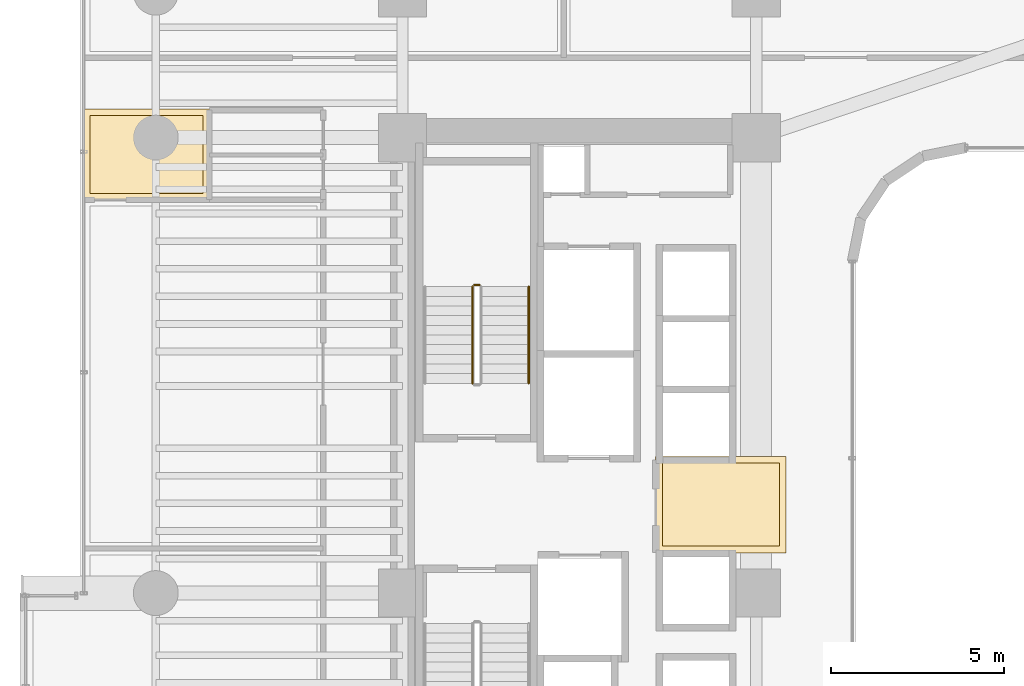
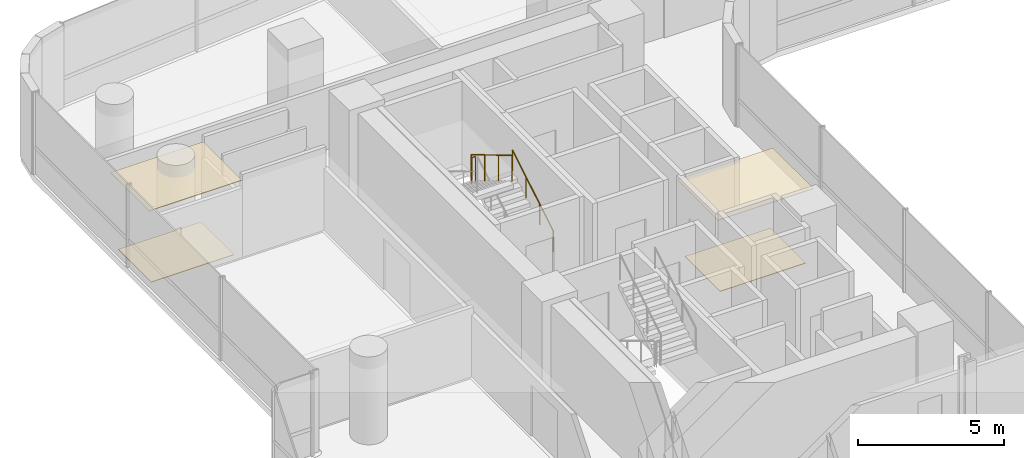
# One storey, part 37 of 40: 4 coverings, 3 railings.
"""IFC4 building model written with IfcOpenShell, lengths in metres."""

from ifc_helpers import new_model, si_unit, direction, frame, origin, origin_2d, place, context, subcontext, project, spatial, polyline, circle, outline, extrude, material, layer, layer_set, type_object, element, save


model = new_model("IFC4")

# Units and contexts
model_context = context("Model", 3, precision=1e-05, world=origin(), true_north=direction((0.0, 1.0)))
body_context = subcontext(model_context, "Body", "Model", "MODEL_VIEW")
ifc_project = project(units=[si_unit("LENGTHUNIT", "METRE"), si_unit("AREAUNIT", "SQUARE_METRE"), si_unit("VOLUMEUNIT", "CUBIC_METRE"), si_unit("PLANEANGLEUNIT", "RADIAN"), si_unit("MASSUNIT", "GRAM", prefix="KILO")], contexts=[model_context])

# Site, building, storey
site_placement = place(None, origin())
site = spatial("IfcSite", under=ifc_project, at=site_placement, CompositionType="ELEMENT")
building_placement = place(site_placement, origin())
building = spatial("IfcBuilding", under=site, at=building_placement, Name="Valdorenza Pilgrim Sanctuary Tower", CompositionType="ELEMENT")
storey_placement = place(building_placement, frame((0.0, 0.0, 66.699951171875)))
storey = spatial("IfcBuildingStorey", under=building, at=storey_placement, Name="L16", CompositionType="ELEMENT", Elevation=66.699951171875)

# Coverings
ifc_material_1 = material(Name="Micro-perforated acoustic mineral ceiling tile", Category="gypsum")
ifc_layer_1 = layer(ifc_material_1, 0.02490234375, Name="Micro-perforated acoustic mineral ceiling tile")
ifc_layer_set_1 = layer_set([ifc_layer_1], Name="Micro-perforated acoustic mineral ceiling tile")
covering_type_1 = type_object("IfcCoveringType", Name="COV-CLG-ACU", PredefinedType="CEILING", material=ifc_layer_set_1)
covering_1_placement = place(storey_placement, frame((0.0, 0.0, 3.16015625)))
element("IfcCovering", 1, at=covering_1_placement, inside=storey, type_object=covering_type_1, Name="L16 Core A Passenger Lift Lobby Acoustic Ceiling", PredefinedType="CEILING", context=body_context, shape_type="SweptSolid", body=[
    extrude(outline(polyline([(-15.31298828125, 1.244384765625), (-15.31298828125, 1.24462890625), (-15.313720703125, 1.24609375), (-15.314208984375, 1.24755859375), (-15.314697265625, 1.2490234375), (-15.31494140625, 1.25048828125), (-15.31494140625, 1.251953125), (-15.31494140625, 1.35009765625), (-15.31494140625, 1.3515625), (-15.314697265625, 1.352783203125), (-15.314453125, 1.3544921875), (-15.31396484375, 1.355712890625), (-15.313232421875, 1.357177734375), (-15.3125, 1.3583984375), (-15.3115234375, 1.359619140625), (-15.310546875, 1.360595703125), (-15.3095703125, 1.361572265625), (-15.308349609375, 1.362548828125), (-15.30712890625, 1.36328125), (-15.3056640625, 1.364013671875), (-15.304443359375, 1.364501953125), (-15.302978515625, 1.36474609375), (-15.301513671875, 1.364990234375), (-15.300048828125, 1.364990234375), (-15.10205078125, 1.364990234375), (-15.1005859375, 1.364990234375), (-15.09912109375, 1.36474609375), (-15.097412109375, 1.3642578125), (-15.09619140625, 1.36376953125), (-15.0947265625, 1.363037109375), (-15.094482421875, 1.363037109375), (-13.185546875, 1.363037109375), (-13.185302734375, 1.363037109375), (-13.183837890625, 1.36376953125), (-13.1826171875, 1.3642578125), (-13.180908203125, 1.36474609375), (-13.179443359375, 1.364990234375), (-13.177978515625, 1.364990234375), (-11.550048828125, 1.364990234375), (-11.548583984375, 1.364990234375), (-11.547119140625, 1.36474609375), (-11.545654296875, 1.364501953125), (-11.544189453125, 1.364013671875), (-11.54296875, 1.36328125), (-11.541748046875, 1.362548828125), (-11.54052734375, 1.361572265625), (-11.539306640625, 1.360595703125), (-11.538330078125, 1.359619140625), (-11.53759765625, 1.3583984375), (-11.536865234375, 1.357177734375), (-11.5361328125, 1.355712890625), (-11.53564453125, 1.3544921875), (-11.535400390625, 1.352783203125), (-11.53515625, 1.3515625), (-11.534912109375, 1.35009765625), (-11.534912109375, -1.419921875), (-11.53515625, -1.42138671875), (-11.535400390625, -1.4228515625), (-11.53564453125, -1.42431640625), (-11.5361328125, -1.42578125), (-11.536865234375, -1.427001953125), (-11.53759765625, -1.42822265625), (-11.538330078125, -1.429443359375), (-11.539306640625, -1.4306640625), (-11.54052734375, -1.431640625), (-11.541748046875, -1.4326171875), (-11.54296875, -1.43310546875), (-11.544189453125, -1.433837890625), (-11.545654296875, -1.434326171875), (-11.547119140625, -1.434814453125), (-11.548583984375, -1.434814453125), (-11.550048828125, -1.43505859375), (-15.298095703125, -1.43505859375), (-15.299560546875, -1.434814453125), (-15.30078125, -1.434814453125), (-15.302490234375, -1.434326171875), (-15.3037109375, -1.433837890625), (-15.30517578125, -1.43310546875), (-15.306396484375, -1.4326171875), (-15.3076171875, -1.431640625), (-15.30859375, -1.4306640625), (-15.3095703125, -1.429443359375), (-15.310546875, -1.42822265625), (-15.311279296875, -1.427001953125), (-15.31201171875, -1.42578125), (-15.3125, -1.42431640625), (-15.312744140625, -1.4228515625), (-15.31298828125, -1.42138671875), (-15.31298828125, -1.419921875), (-15.31298828125, 1.244384765625)])), origin(), (0.0, 0.0, 1.0), 0.02490234375),
])
covering_2_placement = place(storey_placement, frame((0.0, 0.0, 3.16015625)))
element("IfcCovering", 2, at=covering_2_placement, inside=storey, type_object=covering_type_1, Name="L16 Pilgrim Scholar Office L16-WN Acoustic Ceiling", PredefinedType="CEILING", context=body_context, shape_type="SweptSolid", body=[
    extrude(outline(polyline([(-28.237060546875, 11.39453125), (-28.237060546875, 10.103759765625), (-28.23681640625, 10.10302734375), (-28.23681640625, 10.1015625), (-28.23681640625, 10.10009765625), (-28.23681640625, 10.098388671875), (-28.237060546875, 10.09814453125), (-28.237060546875, 8.800048828125), (-28.237060546875, 8.798583984375), (-28.2373046875, 8.797119140625), (-28.237548828125, 8.795654296875), (-28.238037109375, 8.794189453125), (-28.23876953125, 8.79296875), (-28.239501953125, 8.791748046875), (-28.240478515625, 8.79052734375), (-28.241455078125, 8.789306640625), (-28.242431640625, 8.788330078125), (-28.24365234375, 8.78759765625), (-28.244873046875, 8.786865234375), (-28.246337890625, 8.7861328125), (-28.24755859375, 8.78564453125), (-28.2490234375, 8.785400390625), (-28.25048828125, 8.78515625), (-28.251953125, 8.784912109375), (-31.889892578125, 8.784912109375), (-31.8916015625, 8.78515625), (-31.892822265625, 8.785400390625), (-31.894287109375, 8.78564453125), (-31.895751953125, 8.7861328125), (-31.897216796875, 8.786865234375), (-31.898193359375, 8.78759765625), (-31.8994140625, 8.788330078125), (-31.900634765625, 8.789306640625), (-31.901611328125, 8.79052734375), (-31.902587890625, 8.791748046875), (-31.9033203125, 8.79296875), (-31.90380859375, 8.794189453125), (-31.904296875, 8.795654296875), (-31.90478515625, 8.797119140625), (-31.90478515625, 8.798583984375), (-31.905029296875, 8.800048828125), (-31.905029296875, 11.419921875), (-31.90478515625, 11.42138671875), (-31.90478515625, 11.4228515625), (-31.904296875, 11.42431640625), (-31.90380859375, 11.42578125), (-31.9033203125, 11.427001953125), (-31.902587890625, 11.42822265625), (-31.901611328125, 11.429443359375), (-31.900634765625, 11.4306640625), (-31.8994140625, 11.431640625), (-31.898193359375, 11.4326171875), (-31.897216796875, 11.43310546875), (-31.895751953125, 11.433837890625), (-31.894287109375, 11.434326171875), (-31.892822265625, 11.434814453125), (-31.8916015625, 11.434814453125), (-31.889892578125, 11.43505859375), (-28.25, 11.43505859375), (-28.24853515625, 11.434814453125), (-28.2470703125, 11.434814453125), (-28.24560546875, 11.434326171875), (-28.244384765625, 11.433837890625), (-28.242919921875, 11.43310546875), (-28.24169921875, 11.4326171875), (-28.240478515625, 11.431640625), (-28.239501953125, 11.4306640625), (-28.23828125, 11.429443359375), (-28.237548828125, 11.42822265625), (-28.23681640625, 11.427001953125), (-28.236083984375, 11.42578125), (-28.235595703125, 11.42431640625), (-28.2353515625, 11.4228515625), (-28.235107421875, 11.42138671875), (-28.235107421875, 11.419921875), (-28.235107421875, 11.402099609375), (-28.235107421875, 11.400390625), (-28.2353515625, 11.39892578125), (-28.235595703125, 11.3974609375), (-28.236083984375, 11.39599609375), (-28.23681640625, 11.394775390625), (-28.237060546875, 11.39453125)])), origin(), (0.0, 0.0, 1.0), 0.02490234375),
])
ifc_material_2 = material(Name="Honed travertine stone flooring", Category="masonry")
ifc_layer_2 = layer(ifc_material_2, 0.030029296875, Name="Honed travertine stone flooring")
ifc_layer_set_2 = layer_set([ifc_layer_2], Name="Honed travertine stone flooring")
covering_type_2 = type_object("IfcCoveringType", Name="COV-FLR-TRV", PredefinedType="FLOORING", material=ifc_layer_set_2)
covering_3_placement = place(storey_placement, origin())
element("IfcCovering", 3, at=covering_3_placement, inside=storey, type_object=covering_type_2, Name="L16 Core A Passenger Lift Lobby Flooring", PredefinedType="FLOORING", context=body_context, shape_type="SweptSolid", body=[
    extrude(outline(polyline([(-15.117919921875, 1.169189453125), (-15.10888671875, 1.168212890625), (-15.10888671875, 1.168212890625), (-15.10009765625, 1.16796875), (-13.179931640625, 1.16796875), (-13.1796875, 1.16796875), (-11.72998046875, 1.169921875), (-11.72998046875, -1.239990234375), (-15.117919921875, -1.239990234375), (-15.117919921875, 1.169189453125)])), origin(), (0.0, 0.0, 1.0), 0.025146484375),
])
covering_4_placement = place(storey_placement, origin())
element("IfcCovering", 4, at=covering_4_placement, inside=storey, type_object=covering_type_2, Name="L16 Pilgrim Scholar Office L16-WN Flooring", PredefinedType="FLOORING", context=body_context, shape_type="SweptSolid", body=[
    extrude(outline(polyline([(-28.431884765625, 11.239990234375), (-28.431884765625, 10.10205078125), (-28.431884765625, 10.10107421875), (-28.431884765625, 10.100341796875), (-28.431884765625, 10.10009765625), (-28.431884765625, 8.97998046875), (-31.7099609375, 8.97998046875), (-31.7099609375, 11.239990234375), (-28.431884765625, 11.239990234375)])), origin(), (0.0, 0.0, 1.0), 0.025146484375),
])

# Railings
ifc_material_3 = material(Name="Stainless steel Grade 316", Category="steel")
railing_type_1 = type_object("IfcRailingType", Name="RLG-GRD-1120", PredefinedType="GUARDRAIL", material=ifc_material_3)
railing_1_placement = place(storey_placement, frame((-20.419921875, 6.330078125, 1.85009765625)))
element("IfcRailing", 5, at=railing_1_placement, inside=storey, type_object=railing_type_1, Name="L16 ST-A1 stair guard 2", PredefinedType="GUARDRAIL", context=body_context, shape_type="SweptSolid", body=[
    extrude(circle(Radius=0.02392578125, at=origin_2d()), frame((0.0, 0.0, 1.076171875), z_axis=(-1.0, 0.0, 0.0), x_axis=(0.0, -1.0, 0.0)), (0.0, 0.0, 1.0), 0.150146484375),
    extrude(circle(Radius=0.02099609375, at=origin_2d()), origin(), (0.0, 0.0, 1.0), 1.052001953125),
    extrude(circle(Radius=0.02099609375, at=origin_2d()), frame((-0.150146484375, 0.0, 0.0)), (0.0, 0.0, 1.0), 1.052001953125),
])
railing_2_placement = place(storey_placement, frame((-20.6201171875, 6.280029296875, 2.018310546875)))
element("IfcRailing", 6, at=railing_2_placement, inside=storey, type_object=railing_type_1, Name="L16 ST-A1 stair guard 3", PredefinedType="GUARDRAIL", context=body_context, shape_type="SweptSolid", body=[
    extrude(circle(Radius=0.02392578125, at=origin_2d()), frame((0.0, 0.0, 1.076171875), z_axis=(0.0, -0.857275202839, 0.514858452973), x_axis=(1.0, 0.0, 0.0)), (0.0, 0.0, 1.0), 3.26611328125),
    extrude(circle(Radius=0.02099609375, at=origin_2d()), origin(), (0.0, 0.0, 1.0), 1.052001953125),
    extrude(circle(Radius=0.02099609375, at=origin_2d()), frame((0.0, -0.933349609375, 0.560546875)), (0.0, 0.0, 1.0), 1.052001953125),
    extrude(circle(Radius=0.02099609375, at=origin_2d()), frame((0.0, -1.86669921875, 1.12109375)), (0.0, 0.0, 1.0), 1.052001953125),
    extrude(circle(Radius=0.02099609375, at=origin_2d()), frame((0.0, -2.800048828125, 1.681640625)), (0.0, 0.0, 1.0), 1.052001953125),
])
ifc_material_4 = material(Name="Brushed stainless steel Grade 316", Category="steel")
railing_type_2 = type_object("IfcRailingType", Name="RLG-HND-920", PredefinedType="HANDRAIL", material=ifc_material_4)
railing_3_placement = place(storey_placement, frame((-18.989990234375, 3.47998046875, 0.168212890625)))
element("IfcRailing", 7, at=railing_3_placement, inside=storey, type_object=railing_type_2, Name="L16 ST-A1 stair handrail 1", PredefinedType="HANDRAIL", context=body_context, shape_type="SweptSolid", body=[
    extrude(circle(Radius=0.02392578125, at=origin_2d()), frame((0.0, 0.0, 0.8759765625), z_axis=(0.0, 0.857242210791, 0.514913383045), x_axis=(-1.0, 0.0, 0.0)), (0.0, 0.0, 1.0), 3.266357421875),
    extrude(circle(Radius=0.02099609375, at=origin_2d()), origin(), (0.0, 0.0, 1.0), 0.851806640625),
    extrude(circle(Radius=0.02099609375, at=origin_2d()), frame((0.0, 0.933349609375, 0.560546875)), (0.0, 0.0, 1.0), 0.851806640625),
    extrude(circle(Radius=0.02099609375, at=origin_2d()), frame((0.0, 1.86669921875, 1.121337890625)), (0.0, 0.0, 1.0), 0.851806640625),
    extrude(circle(Radius=0.02099609375, at=origin_2d()), frame((0.0, 2.800048828125, 1.681884765625)), (0.0, 0.0, 1.0), 0.851806640625),
])

save(model, "model.ifc")
